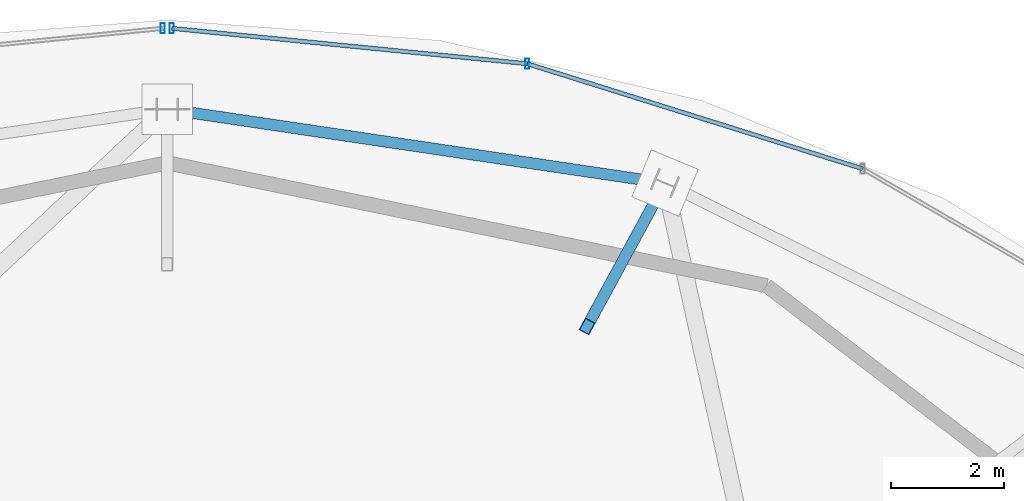
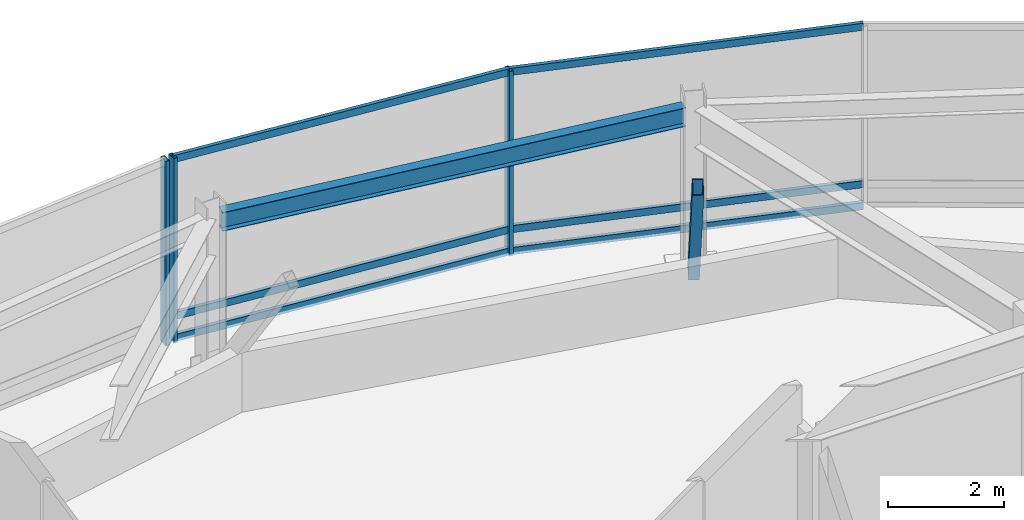
# One storey, part 20 of 28: 10 members, 1 beam, 2 elements without a shape of their own.
"""IFC4 building model written with IfcOpenShell, lengths in metres."""

from ifc_helpers import new_model, si_unit, direction, frame, origin, origin_2d, place, context, subcontext, project, spatial, hollow_rectangle, i_section, extrude, material, material_profile, profile_set, type_object, element, aggregate, save


model = new_model("IFC4")

# Units and contexts
model_context = context("Model", 3, precision=1e-05, world=origin(), true_north=direction((0.0, 1.0)))
body_context = subcontext(model_context, "Body", "Model", "MODEL_VIEW")
ifc_project = project(units=[si_unit("LENGTHUNIT", "METRE"), si_unit("AREAUNIT", "SQUARE_METRE"), si_unit("VOLUMEUNIT", "CUBIC_METRE"), si_unit("PLANEANGLEUNIT", "RADIAN"), si_unit("MASSUNIT", "GRAM", prefix="KILO")], contexts=[model_context])

# Site, building, storey
site_placement = place(None, origin())
site = spatial("IfcSite", under=ifc_project, at=site_placement, CompositionType="ELEMENT")
building_placement = place(site_placement, origin())
building = spatial("IfcBuilding", under=site, at=building_placement, Name="Vorneva Point Tower", CompositionType="ELEMENT")
storey_placement = place(building_placement, frame((0.0, 0.0, 295.39990234375)))
storey = spatial("IfcBuildingStorey", under=building, at=storey_placement, Name="C01", CompositionType="ELEMENT", Elevation=295.39990234375)

# Beam
ifc_material_1 = material(Name="Steel S355", Category="steel")
ifc_material_profile_1 = material_profile(ifc_material_1, i_section(OverallWidth=0.198974609375, OverallDepth=0.39599609375, WebThickness=0.007080078125, FlangeThickness=0.010986328125, at=origin_2d()), Name="40B1")
ifc_profile_set_1 = profile_set([ifc_material_profile_1], Name="Steel S355")
beam_type = type_object("IfcBeamType", Name="BM-SPN-40B1", PredefinedType="SPANDREL", material=ifc_profile_set_1)
beam_placement = place(storey_placement, frame((46.637939453125, 41.91796875, 3.35205078125), z_axis=(-0.989164167153, 0.146813658836, 0.0), x_axis=(-0.146813658836, -0.989164167153, 0.0)))
element("IfcBeam", 1, at=beam_placement, inside=storey, type_object=beam_type, Name="C01 Perimeter Spandrel Ring Beam 04", PredefinedType="SPANDREL", context=body_context, shape_type="SweptSolid", body=[
    extrude(i_section(OverallWidth=0.198974609375, OverallDepth=0.39599609375, WebThickness=0.007080078125, FlangeThickness=0.010986328125, at=origin_2d()), origin(), (0.0, 0.0, 1.0), 8.54736328125),
])

# Curtain wall, members
ifc_material_2 = material(Name="Pale anodised aluminium", Category="aluminium")
curtain_wall_type = type_object("IfcCurtainWallType", Name="CW-CRN-SYS", PredefinedType="NOTDEFINED", material=ifc_material_2)
curtain_wall_1_placement = place(storey_placement, origin())
curtain_wall_1 = element("IfcCurtainWall", 2, at=curtain_wall_1_placement, inside=storey, type_object=curtain_wall_type, Name="C01 Unitised Curtain Wall CW-C01-Q1", PredefinedType="NOTDEFINED")
ifc_material_profile_2 = material_profile(ifc_material_2, hollow_rectangle(XDim=0.074951171875, YDim=0.179931640625, WallThickness=0.00390625, at=origin_2d()), Name="AL-MUL 180x75x4")
ifc_profile_set_2 = profile_set([ifc_material_profile_2], Name="Pale anodised aluminium")
member_type_1 = type_object("IfcMemberType", Name="CW-MUL-180", PredefinedType="MULLION", material=ifc_profile_set_2)
member_1_placement = place(storey_placement, frame((44.3798828125, 44.0048828125, -0.039794921875), z_axis=(0.0, 0.0, 1.0), x_axis=(1.0, 0.0, 0.0)))
member_1 = element("IfcMember", 3, at=member_1_placement, type_object=member_type_1, Name="CW-C01-Q1 Mullion 06", PredefinedType="MULLION", context=body_context, shape_type="SweptSolid", body=[
    extrude(hollow_rectangle(XDim=0.074951171875, YDim=0.179931640625, WallThickness=0.00390625, at=origin_2d()), origin(), (0.0, 0.0, 1.0), 3.869873046875),
])
member_2_placement = place(storey_placement, frame((38.07958984375, 44.632080078125, -0.039794921875), z_axis=(0.0, 0.0, 1.0), x_axis=(1.0, 0.0, 0.0)))
member_2 = element("IfcMember", 4, at=member_2_placement, type_object=member_type_1, Name="CW-C01-Q1 Mullion 07", PredefinedType="MULLION", context=body_context, shape_type="SweptSolid", body=[
    extrude(hollow_rectangle(XDim=0.074951171875, YDim=0.179931640625, WallThickness=0.00390625, at=origin_2d()), origin(), (0.0, 0.0, 1.0), 3.869873046875),
])

# Curtain wall, member
curtain_wall_2_placement = place(storey_placement, origin())
curtain_wall_2 = element("IfcCurtainWall", 5, at=curtain_wall_2_placement, inside=storey, type_object=curtain_wall_type, Name="C01 Unitised Curtain Wall CW-C01-Q2", PredefinedType="NOTDEFINED")
member_3_placement = place(storey_placement, frame((37.92041015625, 44.632080078125, -0.039794921875), z_axis=(0.0, 0.0, 1.0), x_axis=(1.0, 0.0, 0.0)))
member_3 = element("IfcMember", 6, at=member_3_placement, type_object=member_type_1, Name="CW-C01-Q2 Mullion 01", PredefinedType="MULLION", context=body_context, shape_type="SweptSolid", body=[
    extrude(hollow_rectangle(XDim=0.074951171875, YDim=0.179931640625, WallThickness=0.00390625, at=origin_2d()), origin(), (0.0, 0.0, 1.0), 3.869873046875),
])
aggregate(curtain_wall_2, [member_3])

# Member
ifc_material_profile_3 = material_profile(ifc_material_2, hollow_rectangle(XDim=0.074951171875, YDim=0.14990234375, WallThickness=0.00390625, at=origin_2d()), Name="AL-TRN 150x75x4")
ifc_profile_set_3 = profile_set([ifc_material_profile_3], Name="Pale anodised aluminium")
member_type_2 = type_object("IfcMemberType", Name="CW-TRN-150", PredefinedType="USERDEFINED", material=ifc_profile_set_3)
member_4_placement = place(storey_placement, frame((50.324951171875, 42.142578125, 0.02001953125), z_axis=(-0.954275444767, 0.298928713099, 0.0), x_axis=(-0.298928713099, -0.954275444767, 0.0)))
member_4 = element("IfcMember", 7, at=member_4_placement, type_object=member_type_2, Name="CW-C01-Q1 Transom 05.1", ObjectType="TRANSOM", PredefinedType="USERDEFINED", context=body_context, shape_type="SweptSolid", body=[
    extrude(hollow_rectangle(XDim=0.074951171875, YDim=0.14990234375, WallThickness=0.00390625, at=origin_2d()), origin(), (0.0, 0.0, 1.0), 6.22998046875),
])

member_5_placement = place(storey_placement, frame((50.324951171875, 42.142578125, 0.47998046875), z_axis=(-0.954275444767, 0.298928713099, 0.0), x_axis=(-0.298928713099, -0.954275444767, 0.0)))
member_5 = element("IfcMember", 8, at=member_5_placement, type_object=member_type_2, Name="CW-C01-Q1 Transom 05.2", ObjectType="TRANSOM", PredefinedType="USERDEFINED", context=body_context, shape_type="SweptSolid", body=[
    extrude(hollow_rectangle(XDim=0.074951171875, YDim=0.14990234375, WallThickness=0.00390625, at=origin_2d()), origin(), (0.0, 0.0, 1.0), 6.22998046875),
])

member_6_placement = place(storey_placement, frame((50.324951171875, 42.142578125, 3.780029296875), z_axis=(-0.954275444767, 0.298928713099, 0.0), x_axis=(-0.298928713099, -0.954275444767, 0.0)))
member_6 = element("IfcMember", 9, at=member_6_placement, type_object=member_type_2, Name="CW-C01-Q1 Transom 05.3", ObjectType="TRANSOM", PredefinedType="USERDEFINED", context=body_context, shape_type="SweptSolid", body=[
    extrude(hollow_rectangle(XDim=0.074951171875, YDim=0.14990234375, WallThickness=0.00390625, at=origin_2d()), origin(), (0.0, 0.0, 1.0), 6.22998046875),
])

member_7_placement = place(storey_placement, frame((44.3798828125, 44.0048828125, 0.02001953125), z_axis=(-0.995081378477, 0.09906084094, 0.0), x_axis=(-0.09906084094, -0.995081378477, 0.0)))
member_7 = element("IfcMember", 10, at=member_7_placement, type_object=member_type_2, Name="CW-C01-Q1 Transom 06.1", ObjectType="TRANSOM", PredefinedType="USERDEFINED", context=body_context, shape_type="SweptSolid", body=[
    extrude(hollow_rectangle(XDim=0.074951171875, YDim=0.14990234375, WallThickness=0.00390625, at=origin_2d()), origin(), (0.0, 0.0, 1.0), 6.33154296875),
])

member_8_placement = place(storey_placement, frame((44.3798828125, 44.0048828125, 0.47998046875), z_axis=(-0.995081378477, 0.09906084094, 0.0), x_axis=(-0.09906084094, -0.995081378477, 0.0)))
member_8 = element("IfcMember", 11, at=member_8_placement, type_object=member_type_2, Name="CW-C01-Q1 Transom 06.2", ObjectType="TRANSOM", PredefinedType="USERDEFINED", context=body_context, shape_type="SweptSolid", body=[
    extrude(hollow_rectangle(XDim=0.074951171875, YDim=0.14990234375, WallThickness=0.00390625, at=origin_2d()), origin(), (0.0, 0.0, 1.0), 6.33154296875),
])

member_9_placement = place(storey_placement, frame((44.3798828125, 44.0048828125, 3.780029296875), z_axis=(-0.995081378477, 0.09906084094, 0.0), x_axis=(-0.09906084094, -0.995081378477, 0.0)))
member_9 = element("IfcMember", 12, at=member_9_placement, type_object=member_type_2, Name="CW-C01-Q1 Transom 06.3", ObjectType="TRANSOM", PredefinedType="USERDEFINED", context=body_context, shape_type="SweptSolid", body=[
    extrude(hollow_rectangle(XDim=0.074951171875, YDim=0.14990234375, WallThickness=0.00390625, at=origin_2d()), origin(), (0.0, 0.0, 1.0), 6.33154296875),
])

aggregate(curtain_wall_1, [member_1, member_2, member_4, member_5, member_6, member_7, member_8, member_9])

ifc_material_profile_4 = material_profile(ifc_material_1, hollow_rectangle(XDim=0.199951171875, YDim=0.300048828125, WallThickness=0.011962890625, at=origin_2d()), Name="PP 300x200x12")
ifc_profile_set_4 = profile_set([ifc_material_profile_4], Name="Steel S355")
member_type_3 = type_object("IfcMemberType", Name="MBR-CRN-PP300", PredefinedType="CHORD", material=ifc_profile_set_4)
member_10_placement = place(storey_placement, frame((46.82080078125, 41.890625, 0.0), z_axis=(-0.289133296145, -0.532046167938, 0.795819585235), x_axis=(0.878639911504, -0.477484979777, 0.0)))
element("IfcMember", 13, at=member_10_placement, inside=storey, type_object=member_type_3, Name="Crown Tapered Frame Rib C01-04", PredefinedType="CHORD", context=body_context, shape_type="SweptSolid", body=[
    extrude(hollow_rectangle(XDim=0.199951171875, YDim=0.300048828125, WallThickness=0.011962890625, at=origin_2d()), origin(), (0.0, 0.0, 1.0), 4.77490234375),
])

save(model, "model.ifc")
